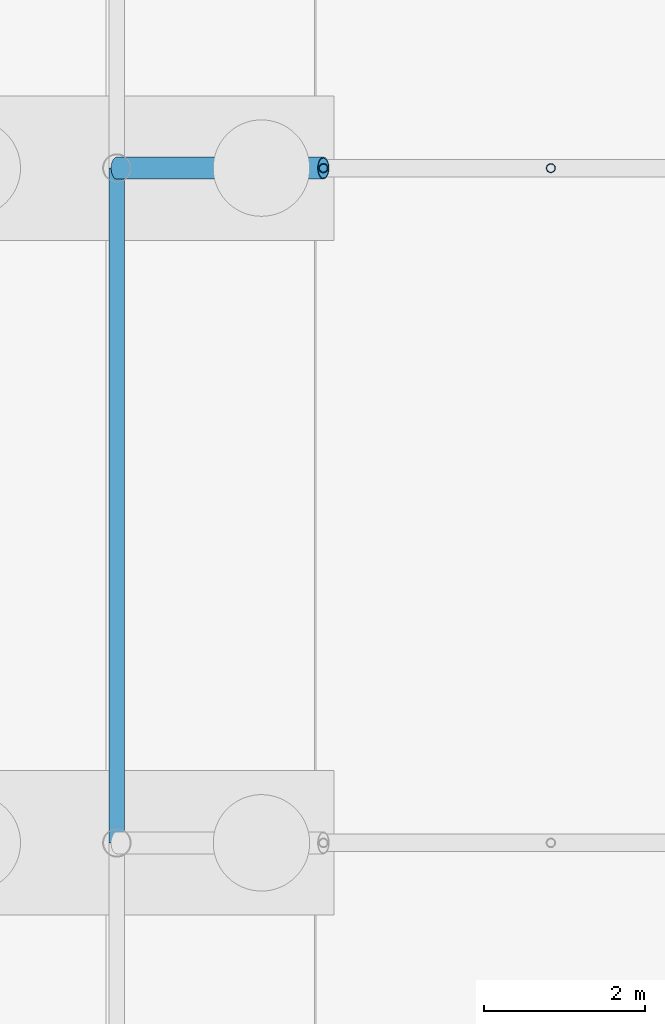
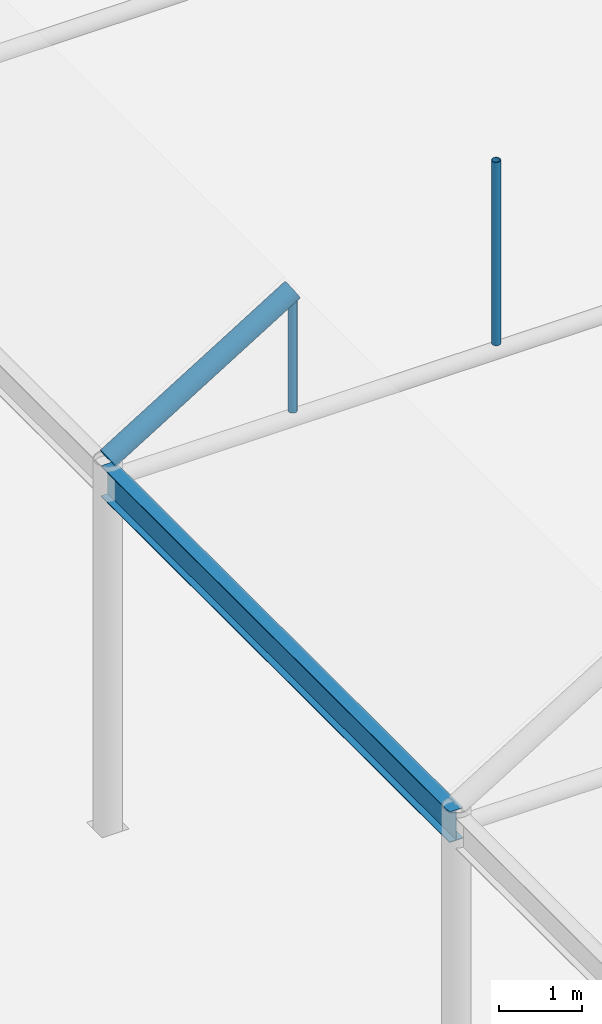
# One storey, part 97 of 212: 3 members, 1 beam.
"""IFC4 building model written with IfcOpenShell, lengths in metres."""

from ifc_helpers import new_model, si_unit, direction, frame, origin, origin_2d, place, context, subcontext, project, spatial, hollow_circle, i_section, extrude, material, material_profile, profile_set, type_object, element, save


model = new_model("IFC4")

# Units and contexts
model_context = context("Model", 3, precision=1e-05, world=origin(), true_north=direction((0.0, 1.0)))
body_context = subcontext(model_context, "Body", "Model", "MODEL_VIEW")
ifc_project = project(units=[si_unit("LENGTHUNIT", "METRE"), si_unit("AREAUNIT", "SQUARE_METRE"), si_unit("VOLUMEUNIT", "CUBIC_METRE"), si_unit("PLANEANGLEUNIT", "RADIAN"), si_unit("MASSUNIT", "GRAM", prefix="KILO")], contexts=[model_context])

# Site, building, storey
site_placement = place(None, origin())
site = spatial("IfcSite", under=ifc_project, at=site_placement, CompositionType="ELEMENT")
building_placement = place(site_placement, origin())
building = spatial("IfcBuilding", under=site, at=building_placement, Name="Catenary Quay Ferry Terminal", CompositionType="ELEMENT")
storey_placement = place(building_placement, origin())
storey = spatial("IfcBuildingStorey", under=building, at=storey_placement, Name="L00", CompositionType="ELEMENT", Elevation=0.0)

# Beam
ifc_material_1 = material(Name="Steel S355", Category="steel")
ifc_material_profile_1 = material_profile(ifc_material_1, i_section(OverallWidth=0.18994140625, OverallDepth=0.453369140625, WebThickness=0.008544921875, FlangeThickness=0.0126953125, at=origin_2d()), Name="UB 457x191x67")
ifc_profile_set_1 = profile_set([ifc_material_profile_1], Name="Steel S355")
beam_type = type_object("IfcBeamType", Name="B1 UB 457x191x67", PredefinedType="BEAM", material=ifc_profile_set_1)
beam_placement = place(storey_placement, frame((8.39990234375, 92.39990234375, 5.10009765625), z_axis=(0.0, 1.0, 0.0), x_axis=(-1.0, 0.0, 0.0)))
element("IfcBeam", 1, at=beam_placement, inside=storey, type_object=beam_type, Name="Eaves beam B-FB4", PredefinedType="BEAM", context=body_context, shape_type="SweptSolid", body=[
    extrude(i_section(OverallWidth=0.18994140625, OverallDepth=0.453369140625, WebThickness=0.008544921875, FlangeThickness=0.0126953125, at=origin_2d()), origin(), (0.0, 0.0, 1.0), 8.400146484375),
])

# Members
ifc_material_2 = material(Name="Steel S355", Category="steel")
ifc_material_profile_2 = material_profile(ifc_material_2, hollow_circle(Radius=0.05712890625, WallThickness=0.00634765625, at=origin_2d()), Name="CHS 114.3x6.3")
ifc_profile_set_2 = profile_set([ifc_material_profile_2], Name="Steel S355")
member_type_1 = type_object("IfcMemberType", Name="HG1 CHS 114.3x6.3", PredefinedType="POST", material=ifc_profile_set_2)
member_1_placement = place(storey_placement, frame((10.970947265625, 100.800048828125, 5.205078125), z_axis=(0.0, 0.0, 1.0), x_axis=(1.0, 0.0, 0.0)))
element("IfcMember", 2, at=member_1_placement, inside=storey, type_object=member_type_1, Name="Hanger FC-05-01", PredefinedType="POST", context=body_context, shape_type="SweptSolid", body=[
    extrude(hollow_circle(Radius=0.05712890625, WallThickness=0.00634765625, at=origin_2d()), origin(), (0.0, 0.0, 1.0), 1.64892578125),
])
member_2_placement = place(storey_placement, frame((13.802978515625, 100.800048828125, 5.205078125), z_axis=(0.0, 0.0, 1.0), x_axis=(1.0, 0.0, 0.0)))
element("IfcMember", 3, at=member_2_placement, inside=storey, type_object=member_type_1, Name="Hanger FC-05-02", PredefinedType="POST", context=body_context, shape_type="SweptSolid", body=[
    extrude(hollow_circle(Radius=0.05712890625, WallThickness=0.00634765625, at=origin_2d()), origin(), (0.0, 0.0, 1.0), 2.69580078125),
])
ifc_material_3 = material(Name="Steel S355", Category="steel")
ifc_material_profile_3 = material_profile(ifc_material_3, hollow_circle(Radius=0.136474609375, WallThickness=0.012451171875, at=origin_2d()), Name="CHS 273x12.5")
ifc_profile_set_3 = profile_set([ifc_material_profile_3], Name="Steel S355")
member_type_2 = type_object("IfcMemberType", Name="VR2 CHS 273x12.5", PredefinedType="RAFTER", material=ifc_profile_set_3)
member_3_placement = place(storey_placement, frame((8.39990234375, 100.800048828125, 5.39990234375), z_axis=(0.851391726314, 0.0, 0.524530388408), x_axis=(0.0, 1.0, 0.0)))
element("IfcMember", 4, at=member_3_placement, inside=storey, type_object=member_type_2, Name="rib FC-05-01", PredefinedType="RAFTER", context=body_context, shape_type="SweptSolid", body=[
    extrude(hollow_circle(Radius=0.136474609375, WallThickness=0.012451171875, at=origin_2d()), origin(), (0.0, 0.0, 1.0), 3.019775390625),
])

save(model, "model.ifc")
